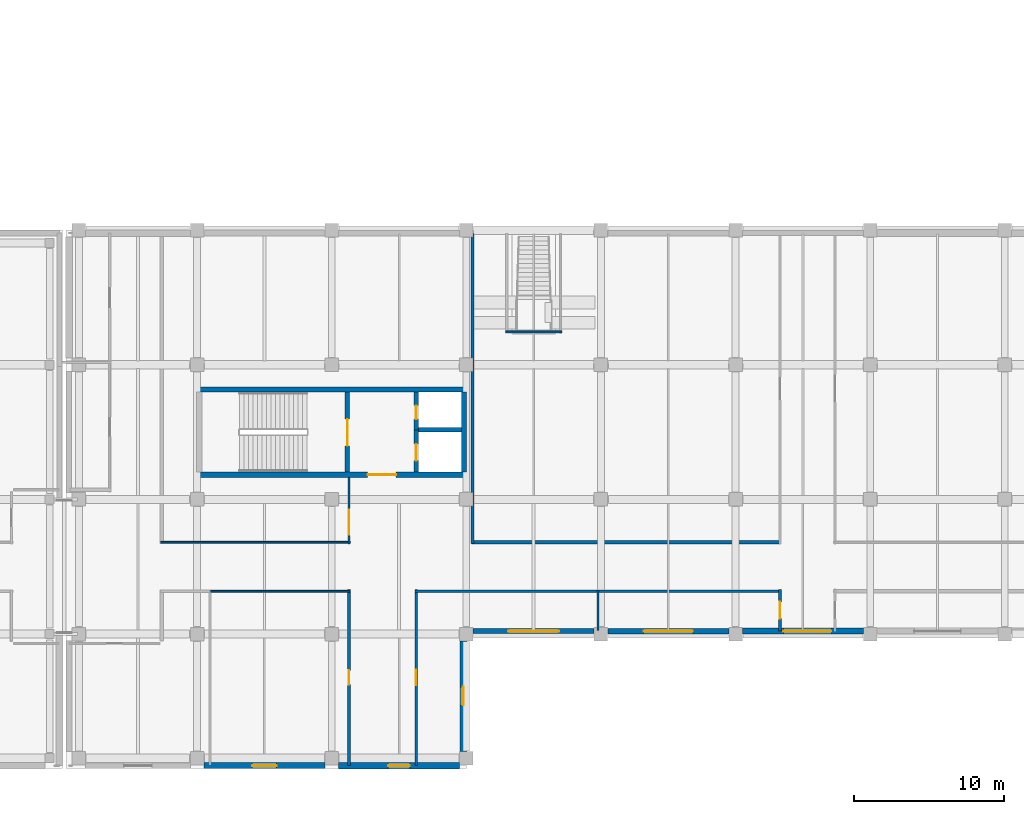
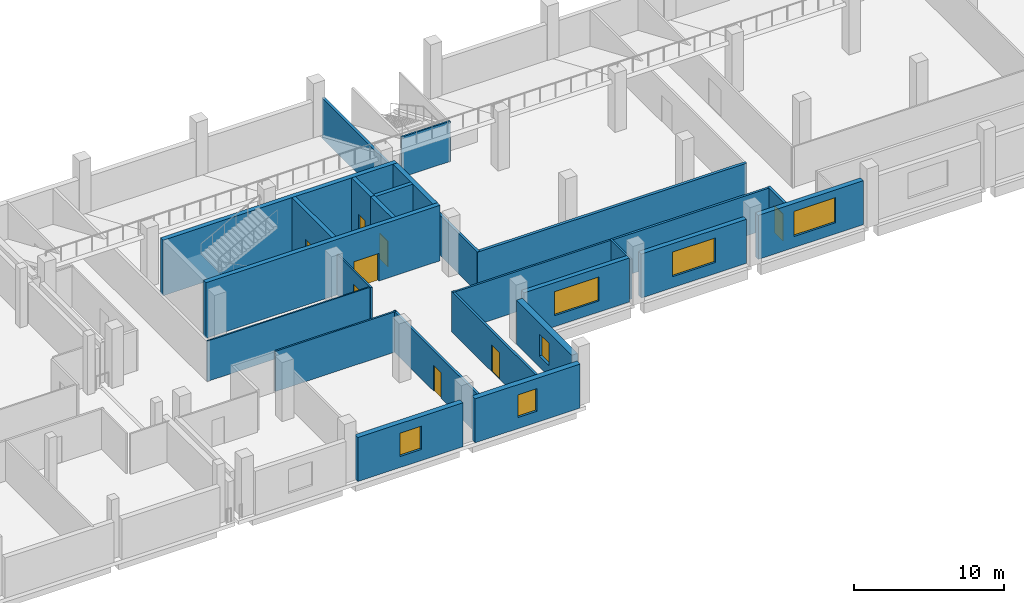
# One storey, part 54 of 100: 25 walls, 8 doors, 6 windows, 14 openings.
"""IFC4 building model written with IfcOpenShell, lengths in metres."""

from ifc_helpers import new_model, si_unit, direction, frame, frame_2d, origin, place, context, subcontext, project, spatial, rectangle, extrude, material, layer, layer_set, type_object, element, fill, save


model = new_model("IFC4")

# Units and contexts
model_context = context("Model", 3, precision=1e-05, world=origin(), true_north=direction((0.0, 1.0)))
body_context = subcontext(model_context, "Body", "Model", "MODEL_VIEW")
ifc_project = project(units=[si_unit("LENGTHUNIT", "METRE"), si_unit("AREAUNIT", "SQUARE_METRE"), si_unit("VOLUMEUNIT", "CUBIC_METRE"), si_unit("PLANEANGLEUNIT", "RADIAN"), si_unit("MASSUNIT", "GRAM", prefix="KILO"), si_unit("THERMODYNAMICTEMPERATUREUNIT", "KELVIN"), si_unit("POWERUNIT", "WATT")], contexts=[model_context])

# Site, building, storey
site_placement = place(None, origin())
site = spatial("IfcSite", under=ifc_project, at=site_placement, CompositionType="ELEMENT")
building_placement = place(site_placement, origin())
building = spatial("IfcBuilding", under=site, at=building_placement, Name="Sindhuravela Promenade Stadium", CompositionType="ELEMENT")
storey_placement = place(building_placement, frame((0.0, 0.0, 4.800048828125)))
storey = spatial("IfcBuildingStorey", under=building, at=storey_placement, Name="L01", CompositionType="ELEMENT", Elevation=4.800048828125)

# Wall, opening, window
ifc_material_1 = material(Name="Terracotta clay brick masonry (15 MPa)", Category="masonry")
ifc_layer_1 = layer(ifc_material_1, 0.340087890625)
ifc_layer_set_1 = layer_set([ifc_layer_1], Name="Terracotta clay brick masonry (15 MPa)")
wall_type_1 = type_object("IfcWallType", Name="EX-WL-BRK340", PredefinedType="SOLIDWALL", material=ifc_layer_set_1)
wall_1_placement = place(storey_placement, frame((89.544921875, 9.199951171875, 0.0), z_axis=(0.0, 0.0, 1.0), x_axis=(-1.0, 0.0, 0.0)))
wall_1 = element("IfcWall", 1, at=wall_1_placement, inside=storey, type_object=wall_type_1, Name="Exterior masonry wall EW06 SOUTH L01", PredefinedType="SOLIDWALL", context=body_context, shape_type="SweptSolid", body=[
    extrude(rectangle(XDim=8.08984375, YDim=0.340087890625, at=frame_2d((4.044921875, 0.0))), origin(), (0.0, 0.0, 1.0), 3.579833984375),
])
opening_1_placement = place(wall_1_placement, frame((2.344970703125, 0.0, 0.89990234375)))
opening_1 = element("IfcOpeningElement", 2, at=opening_1_placement, cuts=wall_1, Name="Opening W24", PredefinedType="OPENING", context=body_context, shape_type="SweptSolid", body=[
    extrude(rectangle(XDim=3.39990234375, YDim=1.949951171875, at=frame_2d((1.699951171875, 0.97509765625))), frame((0.0, 0.179931640625, 0.0), z_axis=(0.0, -1.0, 0.0), x_axis=(1.0, 0.0, 0.0)), (0.0, 0.0, 1.0), 0.360107421875),
])
ifc_material_2 = material(Name="Tempered laminated low-E glass", Category="glass")
window_type_1 = type_object("IfcWindowType", Name="WN-FAC-3400x1950", PartitioningType="DOUBLE_PANEL_VERTICAL", PredefinedType="WINDOW", material=ifc_material_2)
window_1_placement = place(opening_1_placement, origin())
window_1 = element("IfcWindow", 3, at=window_1_placement, inside=storey, type_object=window_type_1, Name="Window W24 SOUTH L01", OverallHeight=1.949951171875, OverallWidth=3.39990234375, PartitioningType="DOUBLE_PANEL_VERTICAL", PredefinedType="WINDOW", context=body_context, shape_type="SweptSolid", body=[
    extrude(rectangle(XDim=3.39990234375, YDim=1.949951171875, at=frame_2d((1.699951171875, 0.97509765625))), frame((0.0, 0.030029296875, 0.0), z_axis=(0.0, -1.0, 0.0), x_axis=(1.0, 0.0, 0.0)), (0.0, 0.0, 1.0), 0.06005859375),
])
fill(opening_1, window_1)

ifc_layer_2 = layer(ifc_material_1, 0.360107421875)
ifc_layer_set_2 = layer_set([ifc_layer_2], Name="Terracotta clay brick masonry (15 MPa)")
wall_type_2 = type_object("IfcWallType", Name="EX-WL-BRK360", PredefinedType="SOLIDWALL", material=ifc_layer_set_2)
wall_2_placement = place(storey_placement, frame((98.544921875, 9.199951171875, 0.0), z_axis=(0.0, 0.0, 1.0), x_axis=(-1.0, 0.0, 0.0)))
wall_2 = element("IfcWall", 4, at=wall_2_placement, inside=storey, type_object=wall_type_2, Name="Exterior masonry wall EW05 SOUTH L01", PredefinedType="SOLIDWALL", context=body_context, shape_type="SweptSolid", body=[
    extrude(rectangle(XDim=8.08984375, YDim=0.360107421875, at=frame_2d((4.044921875, 0.0))), origin(), (0.0, 0.0, 1.0), 3.579833984375),
])
opening_2_placement = place(wall_2_placement, frame((2.39501953125, 0.0, 0.89990234375)))
opening_2 = element("IfcOpeningElement", 5, at=opening_2_placement, cuts=wall_2, Name="Opening W23", PredefinedType="OPENING", context=body_context, shape_type="SweptSolid", body=[
    extrude(rectangle(XDim=3.300048828125, YDim=2.0, at=frame_2d((1.64990234375, 1.0))), frame((0.0, 0.18994140625, 0.0), z_axis=(0.0, -1.0, 0.0), x_axis=(1.0, 0.0, 0.0)), (0.0, 0.0, 1.0), 0.380126953125),
])
window_type_2 = type_object("IfcWindowType", Name="WN-FAC-3300x2000", PartitioningType="DOUBLE_PANEL_VERTICAL", PredefinedType="WINDOW", material=ifc_material_2)
window_2_placement = place(opening_2_placement, origin())
window_2 = element("IfcWindow", 6, at=window_2_placement, inside=storey, type_object=window_type_2, Name="Window W23 SOUTH L01", OverallHeight=2.0, OverallWidth=3.300048828125, PartitioningType="DOUBLE_PANEL_VERTICAL", PredefinedType="WINDOW", context=body_context, shape_type="SweptSolid", body=[
    extrude(rectangle(XDim=3.300048828125, YDim=2.0, at=frame_2d((1.64990234375, 1.0))), frame((0.0, 0.030029296875, 0.0), z_axis=(0.0, -1.0, 0.0), x_axis=(1.0, 0.0, 0.0)), (0.0, 0.0, 1.0), 0.06005859375),
])
fill(opening_2, window_2)

ifc_layer_3 = layer(ifc_material_1, 0.3798828125)
ifc_layer_set_3 = layer_set([ifc_layer_3], Name="Terracotta clay brick masonry (15 MPa)")
wall_type_3 = type_object("IfcWallType", Name="EX-WL-BRK380", PredefinedType="SOLIDWALL", material=ifc_layer_set_3)
wall_3_placement = place(storey_placement, frame((107.544921875, 9.199951171875, 0.0), z_axis=(0.0, 0.0, 1.0), x_axis=(-1.0, 0.0, 0.0)))
wall_3 = element("IfcWall", 7, at=wall_3_placement, inside=storey, type_object=wall_type_3, Name="Exterior masonry wall EW04 SOUTH L01", PredefinedType="SOLIDWALL", context=body_context, shape_type="SweptSolid", body=[
    extrude(rectangle(XDim=8.08984375, YDim=0.3798828125, at=frame_2d((4.044921875, 0.0))), origin(), (0.0, 0.0, 1.0), 3.579833984375),
])
opening_3_placement = place(wall_3_placement, frame((2.14501953125, 0.0, 0.89990234375)))
opening_3 = element("IfcOpeningElement", 8, at=opening_3_placement, cuts=wall_3, Name="Opening W22", PredefinedType="OPENING", context=body_context, shape_type="SweptSolid", body=[
    extrude(rectangle(XDim=3.199951171875, YDim=2.050048828125, at=frame_2d((1.60009765625, 1.02490234375))), frame((0.0, 0.199951171875, 0.0), z_axis=(0.0, -1.0, 0.0), x_axis=(1.0, 0.0, 0.0)), (0.0, 0.0, 1.0), 0.39990234375),
])
window_type_3 = type_object("IfcWindowType", Name="WN-FAC-3200x2050", PartitioningType="DOUBLE_PANEL_VERTICAL", PredefinedType="WINDOW", material=ifc_material_2)
window_3_placement = place(opening_3_placement, origin())
window_3 = element("IfcWindow", 9, at=window_3_placement, inside=storey, type_object=window_type_3, Name="Window W22 SOUTH L01", OverallHeight=2.050048828125, OverallWidth=3.199951171875, PartitioningType="DOUBLE_PANEL_VERTICAL", PredefinedType="WINDOW", context=body_context, shape_type="SweptSolid", body=[
    extrude(rectangle(XDim=3.199951171875, YDim=2.050048828125, at=frame_2d((1.60009765625, 1.02490234375))), frame((0.0, 0.030029296875, 0.0), z_axis=(0.0, -1.0, 0.0), x_axis=(1.0, 0.0, 0.0)), (0.0, 0.0, 1.0), 0.06005859375),
])
fill(opening_3, window_3)

ifc_layer_4 = layer(ifc_material_1, 0.39990234375)
ifc_layer_set_4 = layer_set([ifc_layer_4], Name="Terracotta clay brick masonry (15 MPa)")
wall_type_4 = type_object("IfcWallType", Name="EX-WL-BRK400", PredefinedType="SOLIDWALL", material=ifc_layer_set_4)
wall_4_placement = place(storey_placement, frame((71.544921875, 0.199951171875, 0.0), z_axis=(0.0, 0.0, 1.0), x_axis=(-1.0, 0.0, 0.0)))
wall_4 = element("IfcWall", 10, at=wall_4_placement, inside=storey, type_object=wall_type_4, Name="Exterior masonry wall EW03 SOUTH L01", PredefinedType="SOLIDWALL", context=body_context, shape_type="SweptSolid", body=[
    extrude(rectangle(XDim=8.08984375, YDim=0.39990234375, at=frame_2d((4.044921875, 0.0))), origin(), (0.0, 0.0, 1.0), 3.579833984375),
])
opening_4_placement = place(wall_4_placement, frame((3.219970703125, 0.0, 0.89990234375)))
opening_4 = element("IfcOpeningElement", 11, at=opening_4_placement, cuts=wall_4, Name="Opening W27", PredefinedType="OPENING", context=body_context, shape_type="SweptSolid", body=[
    extrude(rectangle(XDim=1.64990234375, YDim=1.89990234375, at=frame_2d((0.824951171875, 0.949951171875))), frame((0.0, 0.2099609375, 0.0), z_axis=(0.0, -1.0, 0.0), x_axis=(1.0, 0.0, 0.0)), (0.0, 0.0, 1.0), 0.419921875),
])
window_type_4 = type_object("IfcWindowType", Name="WN-FAC-1650x1900", PartitioningType="SINGLE_PANEL", PredefinedType="WINDOW", material=ifc_material_2)
window_4_placement = place(opening_4_placement, origin())
window_4 = element("IfcWindow", 12, at=window_4_placement, inside=storey, type_object=window_type_4, Name="Window W27 SOUTH L01", OverallHeight=1.89990234375, OverallWidth=1.64990234375, PartitioningType="SINGLE_PANEL", PredefinedType="WINDOW", context=body_context, shape_type="SweptSolid", body=[
    extrude(rectangle(XDim=1.64990234375, YDim=1.89990234375, at=frame_2d((0.824951171875, 0.949951171875))), frame((0.0, 0.030029296875, 0.0), z_axis=(0.0, -1.0, 0.0), x_axis=(1.0, 0.0, 0.0)), (0.0, 0.0, 1.0), 0.06005859375),
])
fill(opening_4, window_4)

ifc_layer_5 = layer(ifc_material_1, 0.419921875)
ifc_layer_set_5 = layer_set([ifc_layer_5], Name="Terracotta clay brick masonry (15 MPa)")
wall_type_5 = type_object("IfcWallType", Name="EX-WL-BRK420", PredefinedType="SOLIDWALL", material=ifc_layer_set_5)
wall_5_placement = place(storey_placement, frame((80.544921875, 0.199951171875, 0.0), z_axis=(0.0, 0.0, 1.0), x_axis=(-1.0, 0.0, 0.0)))
wall_5 = element("IfcWall", 13, at=wall_5_placement, inside=storey, type_object=wall_type_5, Name="Exterior masonry wall EW02 SOUTH L01", PredefinedType="SOLIDWALL", context=body_context, shape_type="SweptSolid", body=[
    extrude(rectangle(XDim=8.08984375, YDim=0.419921875, at=frame_2d((4.044921875, 0.0))), origin(), (0.0, 0.0, 1.0), 3.579833984375),
])
opening_5_placement = place(wall_5_placement, frame((3.320068359375, 0.0, 0.89990234375)))
opening_5 = element("IfcOpeningElement", 14, at=opening_5_placement, cuts=wall_5, Name="Opening W26", PredefinedType="OPENING", context=body_context, shape_type="SweptSolid", body=[
    extrude(rectangle(XDim=1.449951171875, YDim=1.85009765625, at=frame_2d((0.72509765625, 0.925048828125))), frame((0.0, 0.219970703125, 0.0), z_axis=(0.0, -1.0, 0.0), x_axis=(1.0, 0.0, 0.0)), (0.0, 0.0, 1.0), 0.43994140625),
])
window_type_5 = type_object("IfcWindowType", Name="WN-FAC-1450x1850", PartitioningType="SINGLE_PANEL", PredefinedType="WINDOW", material=ifc_material_2)
window_5_placement = place(opening_5_placement, origin())
window_5 = element("IfcWindow", 15, at=window_5_placement, inside=storey, type_object=window_type_5, Name="Window W26 SOUTH L01", OverallHeight=1.85009765625, OverallWidth=1.449951171875, PartitioningType="SINGLE_PANEL", PredefinedType="WINDOW", context=body_context, shape_type="SweptSolid", body=[
    extrude(rectangle(XDim=1.449951171875, YDim=1.85009765625, at=frame_2d((0.72509765625, 0.925048828125))), frame((0.0, 0.030029296875, 0.0), z_axis=(0.0, -1.0, 0.0), x_axis=(1.0, 0.0, 0.0)), (0.0, 0.0, 1.0), 0.06005859375),
])
fill(opening_5, window_5)

ifc_layer_6 = layer(ifc_material_1, 0.4599609375)
ifc_layer_set_6 = layer_set([ifc_layer_6], Name="Terracotta clay brick masonry (15 MPa)")
wall_type_6 = type_object("IfcWallType", Name="EX-WL-BRK460", PredefinedType="SOLIDWALL", material=ifc_layer_set_6)
wall_6_placement = place(storey_placement, frame((80.800048828125, 8.544921875, 0.0), z_axis=(0.0, 0.0, 1.0), x_axis=(0.0, -1.0, 0.0)))
wall_6 = element("IfcWall", 16, at=wall_6_placement, inside=storey, type_object=wall_type_6, Name="Exterior masonry wall EW01 SOUTH L01", PredefinedType="SOLIDWALL", context=body_context, shape_type="SweptSolid", body=[
    extrude(rectangle(XDim=7.389892578125, YDim=0.4599609375, at=frame_2d((3.69482421875, 0.0))), origin(), (0.0, 0.0, 1.0), 3.579833984375),
])
opening_6_placement = place(wall_6_placement, frame((3.070068359375, 0.0, 0.89990234375)))
opening_6 = element("IfcOpeningElement", 17, at=opening_6_placement, cuts=wall_6, Name="Opening W25", PredefinedType="OPENING", context=body_context, shape_type="SweptSolid", body=[
    extrude(rectangle(XDim=1.25, YDim=1.800048828125, at=frame_2d((0.625, 0.89990234375))), frame((0.0, 0.239990234375, 0.0), z_axis=(0.0, -1.0, 0.0), x_axis=(1.0, 0.0, 0.0)), (0.0, 0.0, 1.0), 0.47998046875),
])
window_type_6 = type_object("IfcWindowType", Name="WN-FAC-1250x1800", PartitioningType="SINGLE_PANEL", PredefinedType="WINDOW", material=ifc_material_2)
window_6_placement = place(opening_6_placement, origin())
window_6 = element("IfcWindow", 18, at=window_6_placement, inside=storey, type_object=window_type_6, Name="Window W25 SOUTH L01", OverallHeight=1.800048828125, OverallWidth=1.25, PartitioningType="SINGLE_PANEL", PredefinedType="WINDOW", context=body_context, shape_type="SweptSolid", body=[
    extrude(rectangle(XDim=1.25, YDim=1.800048828125, at=frame_2d((0.625, 0.89990234375))), frame((0.0, 0.030029296875, 0.0), z_axis=(0.0, -1.0, 0.0), x_axis=(1.0, 0.0, 0.0)), (0.0, 0.0, 1.0), 0.06005859375),
])
fill(opening_6, window_6)

# Walls
ifc_material_3 = material(Name="Fire-rated gypsum partition board", Category="gypsum")
ifc_layer_7 = layer(ifc_material_3, 0.110107421875)
ifc_layer_set_7 = layer_set([ifc_layer_7], Name="Fire-rated gypsum partition board")
wall_type_7 = type_object("IfcWallType", Name="IN-WL-PAR110", PredefinedType="PARTITIONING", material=ifc_layer_set_7)
wall_7_placement = place(storey_placement, frame((73.239990234375, 15.139892578125, 0.0), z_axis=(0.0, 0.0, 1.0), x_axis=(-1.0, 0.0, 0.0)))
element("IfcWall", 19, at=wall_7_placement, inside=storey, type_object=wall_type_7, Name="Interior partition IW06 SOUTH L01", PredefinedType="PARTITIONING", context=body_context, shape_type="SweptSolid", body=[
    extrude(rectangle(XDim=12.679931640625, YDim=0.110107421875, at=frame_2d((6.33984375, 0.0))), origin(), (0.0, 0.0, 1.0), 3.280029296875),
])
ifc_layer_8 = layer(ifc_material_3, 0.1298828125)
ifc_layer_set_8 = layer_set([ifc_layer_8], Name="Fire-rated gypsum partition board")
wall_type_8 = type_object("IfcWallType", Name="IN-WL-PAR130", PredefinedType="PARTITIONING", material=ifc_layer_set_8)
wall_8_placement = place(storey_placement, frame((83.6201171875, 29.199951171875, 0.0), z_axis=(0.0, 0.0, 1.0), x_axis=(1.0, 0.0, 0.0)))
element("IfcWall", 20, at=wall_8_placement, inside=storey, type_object=wall_type_8, Name="Interior partition IW05 SOUTH L01", PredefinedType="PARTITIONING", context=body_context, shape_type="SweptSolid", body=[
    extrude(rectangle(XDim=3.759765625, YDim=0.1298828125, at=frame_2d((1.8798828125, 0.0))), origin(), (0.0, 0.0, 1.0), 3.280029296875),
])

# Wall, opening, door
wall_9_placement = place(storey_placement, frame((73.159912109375, 15.02001953125, 0.0), z_axis=(0.0, 0.0, 1.0), x_axis=(0.0, 1.0, 0.0)))
wall_9 = element("IfcWall", 21, at=wall_9_placement, inside=storey, type_object=wall_type_8, Name="Corridor partition IW05 South Concessions Store L01", PredefinedType="PARTITIONING", context=body_context, shape_type="SweptSolid", body=[
    extrude(rectangle(XDim=4.452880859375, YDim=0.1298828125, at=frame_2d((2.2265625, 0.0))), origin(), (0.0, 0.0, 1.0), 3.280029296875),
])
opening_7_placement = place(wall_9_placement, frame((0.601318359375, 0.0, 0.0)))
opening_7 = element("IfcOpeningElement", 22, at=opening_7_placement, cuts=wall_9, Name="Opening ID01", PredefinedType="OPENING", context=body_context, shape_type="SweptSolid", body=[
    extrude(rectangle(XDim=1.699951171875, YDim=2.199951171875, at=frame_2d((0.85009765625, 1.10009765625))), frame((0.0, 0.074951171875, 0.0), z_axis=(0.0, -1.0, 0.0), x_axis=(1.0, 0.0, 0.0)), (0.0, 0.0, 1.0), 0.14990234375),
])
ifc_material_4 = material(Name="Architectural teak timber leaf", Category="wood")
door_type_1 = type_object("IfcDoorType", Name="DR-INT-1700x2200", OperationType="DOUBLE_DOOR_SINGLE_SWING", PredefinedType="DOOR", material=ifc_material_4)
door_1_placement = place(opening_7_placement, origin())
door_1 = element("IfcDoor", 23, at=door_1_placement, inside=storey, type_object=door_type_1, Name="South Concessions Store L01 door", OperationType="DOUBLE_DOOR_SINGLE_SWING", OverallHeight=2.199951171875, OverallWidth=1.699951171875, PredefinedType="DOOR", context=body_context, shape_type="SweptSolid", body=[
    extrude(rectangle(XDim=1.699951171875, YDim=2.199951171875, at=frame_2d((0.85009765625, 1.10009765625))), frame((0.0, 0.02490234375, 0.0), z_axis=(0.0, -1.0, 0.0), x_axis=(1.0, 0.0, 0.0)), (0.0, 0.0, 1.0), 0.050048828125),
])
fill(opening_7, door_1)

# Walls
wall_10_placement = place(storey_placement, frame((63.905029296875, 11.860107421875, 0.0), z_axis=(0.0, 0.0, 1.0), x_axis=(1.0, 0.0, 0.0)))
element("IfcWall", 24, at=wall_10_placement, inside=storey, type_object=wall_type_8, Name="Interior partition IW05 SOUTH L01", PredefinedType="PARTITIONING", context=body_context, shape_type="SweptSolid", body=[
    extrude(rectangle(XDim=9.3349609375, YDim=0.1298828125, at=frame_2d((4.66748046875, 0.0))), origin(), (0.0, 0.0, 1.0), 3.280029296875),
])
wall_11_placement = place(storey_placement, frame((89.800048828125, 11.93994140625, 0.0), z_axis=(0.0, 0.0, 1.0), x_axis=(0.0, -1.0, 0.0)))
element("IfcWall", 25, at=wall_11_placement, inside=storey, type_object=wall_type_8, Name="Interior partition IW05 SOUTH L01", PredefinedType="PARTITIONING", context=body_context, shape_type="SweptSolid", body=[
    extrude(rectangle(XDim=2.699951171875, YDim=0.1298828125, at=frame_2d((1.35009765625, 0.0))), origin(), (0.0, 0.0, 1.0), 3.280029296875),
])
ifc_layer_9 = layer(ifc_material_3, 0.14990234375)
ifc_layer_set_9 = layer_set([ifc_layer_9], Name="Fire-rated gypsum partition board")
wall_type_9 = type_object("IfcWallType", Name="IN-WL-PAR150", PredefinedType="PARTITIONING", material=ifc_layer_set_9)
wall_12_placement = place(storey_placement, frame((77.56005859375, 11.860107421875, 0.0), z_axis=(0.0, 0.0, 1.0), x_axis=(1.0, 0.0, 0.0)))
element("IfcWall", 26, at=wall_12_placement, inside=storey, type_object=wall_type_9, Name="Interior partition IW04 SOUTH L01", PredefinedType="PARTITIONING", context=body_context, shape_type="SweptSolid", body=[
    extrude(rectangle(XDim=12.199951171875, YDim=0.14990234375, at=frame_2d((6.10009765625, 0.0))), origin(), (0.0, 0.0, 1.0), 3.280029296875),
])

# Wall, opening, door
ifc_layer_10 = layer(ifc_material_3, 0.175048828125)
ifc_layer_set_10 = layer_set([ifc_layer_10], Name="Fire-rated gypsum partition board")
wall_type_10 = type_object("IfcWallType", Name="IN-WL-PAR175", PredefinedType="PARTITIONING", material=ifc_layer_set_10)
wall_13_placement = place(storey_placement, frame((73.159912109375, 0.199951171875, 0.0), z_axis=(0.0, 0.0, 1.0), x_axis=(0.0, 1.0, 0.0)))
wall_13 = element("IfcWall", 27, at=wall_13_placement, inside=storey, type_object=wall_type_10, Name="Corridor partition IW03 South Lower Concourse Hall 2", PredefinedType="PARTITIONING", context=body_context, shape_type="SweptSolid", body=[
    extrude(rectangle(XDim=11.780029296875, YDim=0.175048828125, at=frame_2d((5.89013671875, 0.0))), origin(), (0.0, 0.0, 1.0), 3.280029296875),
])
opening_8_placement = place(wall_13_placement, frame((5.4150390625, 0.0, 0.0)))
opening_8 = element("IfcOpeningElement", 28, at=opening_8_placement, cuts=wall_13, Name="Opening ID09", PredefinedType="OPENING", context=body_context, shape_type="SweptSolid", body=[
    extrude(rectangle(XDim=0.949951171875, YDim=2.10009765625, at=frame_2d((0.47509765625, 1.050048828125))), frame((0.0, 0.097412109375, 0.0), z_axis=(0.0, -1.0, 0.0), x_axis=(1.0, 0.0, 0.0)), (0.0, 0.0, 1.0), 0.195068359375),
])
door_type_2 = type_object("IfcDoorType", Name="DR-INT-950x2100", OperationType="NOTDEFINED", PredefinedType="DOOR", material=ifc_material_4)
door_2_placement = place(opening_8_placement, origin())
door_2 = element("IfcDoor", 29, at=door_2_placement, inside=storey, type_object=door_type_2, Name="South Lower Concourse Hall 2 door", OperationType="SINGLE_SWING_RIGHT", OverallHeight=2.10009765625, OverallWidth=0.949951171875, PredefinedType="DOOR", context=body_context, shape_type="SweptSolid", body=[
    extrude(rectangle(XDim=0.949951171875, YDim=2.10009765625, at=frame_2d((0.47509765625, 1.050048828125))), frame((0.0, 0.02490234375, 0.0), z_axis=(0.0, -1.0, 0.0), x_axis=(1.0, 0.0, 0.0)), (0.0, 0.0, 1.0), 0.050048828125),
])
fill(opening_8, door_2)

wall_14_placement = place(storey_placement, frame((77.639892578125, 11.97998046875, 0.0), z_axis=(0.0, 0.0, 1.0), x_axis=(0.0, -1.0, 0.0)))
wall_14 = element("IfcWall", 30, at=wall_14_placement, inside=storey, type_object=wall_type_10, Name="Corridor partition IW03 Concourse Beverage Kiosk South B 4", PredefinedType="PARTITIONING", context=body_context, shape_type="SweptSolid", body=[
    extrude(rectangle(XDim=11.780029296875, YDim=0.175048828125, at=frame_2d((5.89013671875, 0.0))), origin(), (0.0, 0.0, 1.0), 3.280029296875),
])
opening_9_placement = place(wall_14_placement, frame((5.3798828125, 0.0, 0.0)))
opening_9 = element("IfcOpeningElement", 31, at=opening_9_placement, cuts=wall_14, Name="Opening ID11", PredefinedType="OPENING", context=body_context, shape_type="SweptSolid", body=[
    extrude(rectangle(XDim=1.02001953125, YDim=2.159912109375, at=frame_2d((0.510009765625, 1.080078125))), frame((0.0, 0.097412109375, 0.0), z_axis=(0.0, -1.0, 0.0), x_axis=(1.0, 0.0, 0.0)), (0.0, 0.0, 1.0), 0.195068359375),
])
door_type_3 = type_object("IfcDoorType", Name="DR-INT-1020x2160", OperationType="NOTDEFINED", PredefinedType="DOOR", material=ifc_material_4)
door_3_placement = place(opening_9_placement, origin())
door_3 = element("IfcDoor", 32, at=door_3_placement, inside=storey, type_object=door_type_3, Name="Concourse Beverage Kiosk South B 4 door", OperationType="SINGLE_SWING_RIGHT", OverallHeight=2.159912109375, OverallWidth=1.02001953125, PredefinedType="DOOR", context=body_context, shape_type="SweptSolid", body=[
    extrude(rectangle(XDim=1.02001953125, YDim=2.159912109375, at=frame_2d((0.510009765625, 1.080078125))), frame((0.0, 0.02490234375, 0.0), z_axis=(0.0, -1.0, 0.0), x_axis=(1.0, 0.0, 0.0)), (0.0, 0.0, 1.0), 0.050048828125),
])
fill(opening_9, door_3)

# Walls
wall_15_placement = place(storey_placement, frame((89.840087890625, 11.860107421875, 0.0), z_axis=(0.0, 0.0, 1.0), x_axis=(1.0, 0.0, 0.0)))
element("IfcWall", 33, at=wall_15_placement, inside=storey, type_object=wall_type_10, Name="Interior partition IW03 SOUTH L01", PredefinedType="PARTITIONING", context=body_context, shape_type="SweptSolid", body=[
    extrude(rectangle(XDim=12.199951171875, YDim=0.175048828125, at=frame_2d((6.10009765625, 0.0))), origin(), (0.0, 0.0, 1.0), 3.280029296875),
])
ifc_layer_11 = layer(ifc_material_3, 0.195068359375)
ifc_layer_set_11 = layer_set([ifc_layer_11], Name="Fire-rated gypsum partition board")
wall_type_11 = type_object("IfcWallType", Name="IN-WL-PAR195", PredefinedType="PARTITIONING", material=ifc_layer_set_11)
wall_16_placement = place(storey_placement, frame((81.419921875, 15.06005859375, 0.0), z_axis=(0.0, 0.0, 1.0), x_axis=(0.0, 1.0, 0.0)))
element("IfcWall", 34, at=wall_16_placement, inside=storey, type_object=wall_type_11, Name="Interior partition IW02 SOUTH L01", PredefinedType="PARTITIONING", context=body_context, shape_type="SweptSolid", body=[
    extrude(rectangle(XDim=20.699951171875, YDim=0.195068359375, at=frame_2d((10.35009765625, 0.0))), origin(), (0.0, 0.0, 1.0), 3.280029296875),
])

# Wall, opening, door
wall_17_placement = place(storey_placement, frame((101.9599609375, 9.199951171875, 0.0), z_axis=(0.0, 0.0, 1.0), x_axis=(0.0, 1.0, 0.0)))
wall_17 = element("IfcWall", 35, at=wall_17_placement, inside=storey, type_object=wall_type_11, Name="Corridor partition IW02 South Concessions Store L01 6", PredefinedType="PARTITIONING", context=body_context, shape_type="SweptSolid", body=[
    extrude(rectangle(XDim=2.780029296875, YDim=0.195068359375, at=frame_2d((1.39013671875, 0.0))), origin(), (0.0, 0.0, 1.0), 3.280029296875),
])
opening_10_placement = place(wall_17_placement, frame((0.830078125, 0.0, 0.0)))
opening_10 = element("IfcOpeningElement", 36, at=opening_10_placement, cuts=wall_17, Name="Opening ID13", PredefinedType="OPENING", context=body_context, shape_type="SweptSolid", body=[
    extrude(rectangle(XDim=1.1201171875, YDim=2.219970703125, at=frame_2d((0.56005859375, 1.10986328125))), frame((0.0, 0.107421875, 0.0), z_axis=(0.0, -1.0, 0.0), x_axis=(1.0, 0.0, 0.0)), (0.0, 0.0, 1.0), 0.215087890625),
])
door_type_4 = type_object("IfcDoorType", Name="DR-INT-1120x2220", OperationType="NOTDEFINED", PredefinedType="DOOR", material=ifc_material_4)
door_4_placement = place(opening_10_placement, origin())
door_4 = element("IfcDoor", 37, at=door_4_placement, inside=storey, type_object=door_type_4, Name="South Concessions Store L01 6 door", OperationType="SINGLE_SWING_RIGHT", OverallHeight=2.219970703125, OverallWidth=1.1201171875, PredefinedType="DOOR", context=body_context, shape_type="SweptSolid", body=[
    extrude(rectangle(XDim=1.1201171875, YDim=2.219970703125, at=frame_2d((0.56005859375, 1.10986328125))), frame((0.0, 0.02490234375, 0.0), z_axis=(0.0, -1.0, 0.0), x_axis=(1.0, 0.0, 0.0)), (0.0, 0.0, 1.0), 0.050048828125),
])
fill(opening_10, door_4)

# Wall
ifc_layer_12 = layer(ifc_material_3, 0.219970703125)
ifc_layer_set_12 = layer_set([ifc_layer_12], Name="Fire-rated gypsum partition board")
wall_type_12 = type_object("IfcWallType", Name="IN-WL-PAR220", PredefinedType="PARTITIONING", material=ifc_layer_set_12)
wall_18_placement = place(storey_placement, frame((102.0400390625, 15.139892578125, 0.0), z_axis=(0.0, 0.0, 1.0), x_axis=(-1.0, 0.0, 0.0)))
element("IfcWall", 38, at=wall_18_placement, inside=storey, type_object=wall_type_12, Name="Interior partition IW01 SOUTH L01", PredefinedType="PARTITIONING", context=body_context, shape_type="SweptSolid", body=[
    extrude(rectangle(XDim=20.699951171875, YDim=0.219970703125, at=frame_2d((10.35009765625, 0.0))), origin(), (0.0, 0.0, 1.0), 3.280029296875),
])

# Wall, opening, door
ifc_material_5 = material(Name="Concrete M50", Category="concrete")
ifc_layer_13 = layer(ifc_material_5, 0.300048828125)
ifc_layer_set_13 = layer_set([ifc_layer_13], Name="Concrete M50")
wall_type_13 = type_object("IfcWallType", Name="RC-SW-300", PredefinedType="SHEAR", material=ifc_layer_set_13)
wall_19_placement = place(storey_placement, frame((73.050048828125, 19.824951171875, 0.0), z_axis=(0.0, 0.0, 1.0), x_axis=(0.0, 1.0, 0.0)))
wall_19 = element("IfcWall", 39, at=wall_19_placement, inside=storey, type_object=wall_type_13, Name="Core shear wall C11-ST (L01)", PredefinedType="SHEAR", context=body_context, shape_type="SweptSolid", body=[
    extrude(rectangle(XDim=5.35009765625, YDim=0.300048828125, at=frame_2d((2.675048828125, 0.0))), origin(), (0.0, 0.0, 1.0), 4.52001953125),
])
opening_11_placement = place(wall_19_placement, frame((1.75, 0.0, 0.0)))
opening_11 = element("IfcOpeningElement", 40, at=opening_11_placement, cuts=wall_19, Name="Opening FD01", PredefinedType="OPENING", context=body_context, shape_type="SweptSolid", body=[
    extrude(rectangle(XDim=1.800048828125, YDim=2.25, at=frame_2d((0.89990234375, 1.125))), frame((0.0, 0.159912109375, 0.0), z_axis=(0.0, -1.0, 0.0), x_axis=(1.0, 0.0, 0.0)), (0.0, 0.0, 1.0), 0.320068359375),
])
ifc_material_6 = material(Name="Architectural wrought steel E350", Category="steel")
door_type_5 = type_object("IfcDoorType", Name="DR-CORE-1800x2250", OperationType="DOUBLE_DOOR_SINGLE_SWING", PredefinedType="DOOR", material=ifc_material_6)
door_5_placement = place(opening_11_placement, origin())
door_5 = element("IfcDoor", 41, at=door_5_placement, inside=storey, type_object=door_type_5, Name="Stair ST11 lobby fire door (L01)", OperationType="DOUBLE_DOOR_SINGLE_SWING", OverallHeight=2.25, OverallWidth=1.800048828125, PredefinedType="DOOR", context=body_context, shape_type="SweptSolid", body=[
    extrude(rectangle(XDim=1.800048828125, YDim=2.25, at=frame_2d((0.89990234375, 1.125))), frame((0.0, 0.02490234375, 0.0), z_axis=(0.0, -1.0, 0.0), x_axis=(1.0, 0.0, 0.0)), (0.0, 0.0, 1.0), 0.050048828125),
])
fill(opening_11, door_5)

wall_20_placement = place(storey_placement, frame((77.64990234375, 19.824951171875, 0.0), z_axis=(0.0, 0.0, 1.0), x_axis=(0.0, 1.0, 0.0)))
wall_20 = element("IfcWall", 42, at=wall_20_placement, inside=storey, type_object=wall_type_13, Name="Core shear wall C11-LFT (L01)", PredefinedType="SHEAR", context=body_context, shape_type="SweptSolid", body=[
    extrude(rectangle(XDim=2.824951171875, YDim=0.300048828125, at=frame_2d((1.41259765625, 0.0))), origin(), (0.0, 0.0, 1.0), 4.52001953125),
])
opening_12_placement = place(wall_20_placement, frame((0.77490234375, 0.0, 0.0)))
opening_12 = element("IfcOpeningElement", 43, at=opening_12_placement, cuts=wall_20, Name="Opening LD", PredefinedType="OPENING", context=body_context, shape_type="SweptSolid", body=[
    extrude(rectangle(XDim=1.10009765625, YDim=2.10009765625, at=frame_2d((0.550048828125, 1.050048828125))), frame((0.0, 0.159912109375, 0.0), z_axis=(0.0, -1.0, 0.0), x_axis=(1.0, 0.0, 0.0)), (0.0, 0.0, 1.0), 0.320068359375),
])
door_type_6 = type_object("IfcDoorType", Name="DR-LFT-1100x2100", OperationType="DOUBLE_DOOR_SLIDING", PredefinedType="DOOR", material=ifc_material_6)
door_6_placement = place(opening_12_placement, origin())
door_6 = element("IfcDoor", 44, at=door_6_placement, inside=storey, type_object=door_type_6, Name="Lift PL04 landing door (L01)", OperationType="DOUBLE_DOOR_SLIDING", OverallHeight=2.10009765625, OverallWidth=1.10009765625, PredefinedType="DOOR", context=body_context, shape_type="SweptSolid", body=[
    extrude(rectangle(XDim=1.10009765625, YDim=2.10009765625, at=frame_2d((0.550048828125, 1.050048828125))), frame((0.0, 0.02490234375, 0.0), z_axis=(0.0, -1.0, 0.0), x_axis=(1.0, 0.0, 0.0)), (0.0, 0.0, 1.0), 0.050048828125),
])
fill(opening_12, door_6)

wall_21_placement = place(storey_placement, frame((77.64990234375, 22.64990234375, 0.0), z_axis=(0.0, 0.0, 1.0), x_axis=(0.0, 1.0, 0.0)))
wall_21 = element("IfcWall", 45, at=wall_21_placement, inside=storey, type_object=wall_type_13, Name="Core shear wall C11-RSR (L01)", PredefinedType="SHEAR", context=body_context, shape_type="SweptSolid", body=[
    extrude(rectangle(XDim=2.525146484375, YDim=0.300048828125, at=frame_2d((1.2626953125, 0.0))), origin(), (0.0, 0.0, 1.0), 4.52001953125),
])
opening_13_placement = place(wall_21_placement, frame((0.72509765625, 0.0, 0.0)))
opening_13 = element("IfcOpeningElement", 46, at=opening_13_placement, cuts=wall_21, Name="Opening FD03", PredefinedType="OPENING", context=body_context, shape_type="SweptSolid", body=[
    extrude(rectangle(XDim=0.89990234375, YDim=2.10009765625, at=frame_2d((0.449951171875, 1.050048828125))), frame((0.0, 0.159912109375, 0.0), z_axis=(0.0, -1.0, 0.0), x_axis=(1.0, 0.0, 0.0)), (0.0, 0.0, 1.0), 0.320068359375),
])
door_type_7 = type_object("IfcDoorType", Name="DR-RSR-900x2100", OperationType="NOTDEFINED", PredefinedType="DOOR", material=ifc_material_6)
door_7_placement = place(opening_13_placement, origin())
door_7 = element("IfcDoor", 47, at=door_7_placement, inside=storey, type_object=door_type_7, Name="Riser shaft access door C11 (L01)", OperationType="SINGLE_SWING_RIGHT", OverallHeight=2.10009765625, OverallWidth=0.89990234375, PredefinedType="DOOR", context=body_context, shape_type="SweptSolid", body=[
    extrude(rectangle(XDim=0.89990234375, YDim=2.10009765625, at=frame_2d((0.449951171875, 1.050048828125))), frame((0.0, 0.02490234375, 0.0), z_axis=(0.0, -1.0, 0.0), x_axis=(1.0, 0.0, 0.0)), (0.0, 0.0, 1.0), 0.050048828125),
])
fill(opening_13, door_7)

# Wall
wall_22_placement = place(storey_placement, frame((77.800048828125, 22.64990234375, 0.0), z_axis=(0.0, 0.0, 1.0), x_axis=(1.0, 0.0, 0.0)))
element("IfcWall", 48, at=wall_22_placement, inside=storey, type_object=wall_type_13, Name="Core shear wall C11-DIV (L01)", PredefinedType="SHEAR", context=body_context, shape_type="SweptSolid", body=[
    extrude(rectangle(XDim=2.875, YDim=0.300048828125, at=frame_2d((1.4375, 0.0))), origin(), (0.0, 0.0, 1.0), 4.52001953125),
])

# Wall, opening, door
ifc_layer_14 = layer(ifc_material_5, 0.35009765625)
ifc_layer_set_14 = layer_set([ifc_layer_14], Name="Concrete M50")
wall_type_14 = type_object("IfcWallType", Name="RC-SW-350", PredefinedType="SHEAR", material=ifc_layer_set_14)
wall_23_placement = place(storey_placement, frame((63.0, 19.64990234375, 0.0), z_axis=(0.0, 0.0, 1.0), x_axis=(1.0, 0.0, 0.0)))
wall_23 = element("IfcWall", 49, at=wall_23_placement, inside=storey, type_object=wall_type_14, Name="Core shear wall C11-S (L01)", PredefinedType="SHEAR", context=body_context, shape_type="SweptSolid", body=[
    extrude(rectangle(XDim=18.0, YDim=0.35009765625, at=frame_2d((9.0, 0.0))), origin(), (0.0, 0.0, 1.0), 4.52001953125),
])
opening_14_placement = place(wall_23_placement, frame((11.39990234375, 0.0, 0.0)))
opening_14 = element("IfcOpeningElement", 50, at=opening_14_placement, cuts=wall_23, Name="Opening FD02", PredefinedType="OPENING", context=body_context, shape_type="SweptSolid", body=[
    extrude(rectangle(XDim=1.89990234375, YDim=2.25, at=frame_2d((0.949951171875, 1.125))), frame((0.0, 0.18505859375, 0.0), z_axis=(0.0, -1.0, 0.0), x_axis=(1.0, 0.0, 0.0)), (0.0, 0.0, 1.0), 0.3701171875),
])
door_type_8 = type_object("IfcDoorType", Name="DR-LOB-1900x2250", OperationType="DOUBLE_DOOR_SINGLE_SWING", PredefinedType="DOOR", material=ifc_material_6)
door_8_placement = place(opening_14_placement, origin())
door_8 = element("IfcDoor", 51, at=door_8_placement, inside=storey, type_object=door_type_8, Name="Protected lobby entrance door C11 (L01)", OperationType="DOUBLE_DOOR_SINGLE_SWING", OverallHeight=2.25, OverallWidth=1.89990234375, PredefinedType="DOOR", context=body_context, shape_type="SweptSolid", body=[
    extrude(rectangle(XDim=1.89990234375, YDim=2.25, at=frame_2d((0.949951171875, 1.125))), frame((0.0, 0.02490234375, 0.0), z_axis=(0.0, -1.0, 0.0), x_axis=(1.0, 0.0, 0.0)), (0.0, 0.0, 1.0), 0.050048828125),
])
fill(opening_14, door_8)

# Walls
wall_24_placement = place(storey_placement, frame((81.0, 25.35009765625, 0.0), z_axis=(0.0, 0.0, 1.0), x_axis=(-1.0, 0.0, 0.0)))
element("IfcWall", 52, at=wall_24_placement, inside=storey, type_object=wall_type_14, Name="Core shear wall C11-N (L01)", PredefinedType="SHEAR", context=body_context, shape_type="SweptSolid", body=[
    extrude(rectangle(XDim=18.0, YDim=0.35009765625, at=frame_2d((9.0, 0.0))), origin(), (0.0, 0.0, 1.0), 4.52001953125),
])
wall_25_placement = place(storey_placement, frame((80.85009765625, 19.824951171875, 0.0), z_axis=(0.0, 0.0, 1.0), x_axis=(0.0, 1.0, 0.0)))
element("IfcWall", 53, at=wall_25_placement, inside=storey, type_object=wall_type_14, Name="Core shear wall C11-E (L01)", PredefinedType="SHEAR", context=body_context, shape_type="SweptSolid", body=[
    extrude(rectangle(XDim=5.35009765625, YDim=0.35009765625, at=frame_2d((2.675048828125, 0.0))), origin(), (0.0, 0.0, 1.0), 4.52001953125),
])

save(model, "model.ifc")
